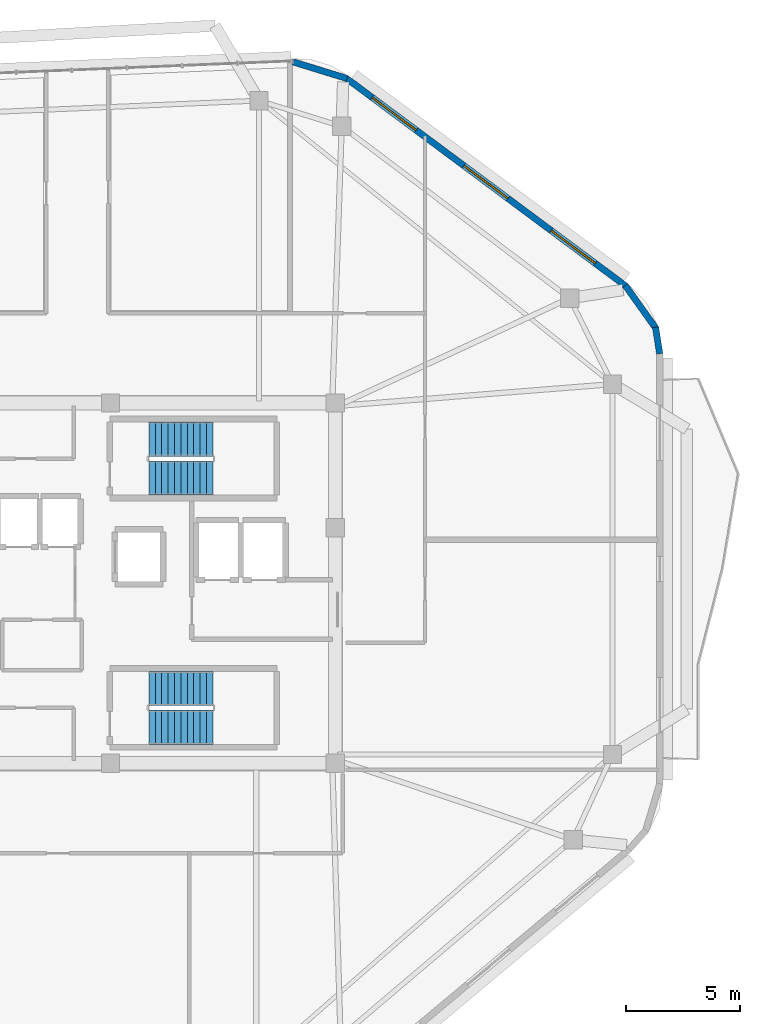
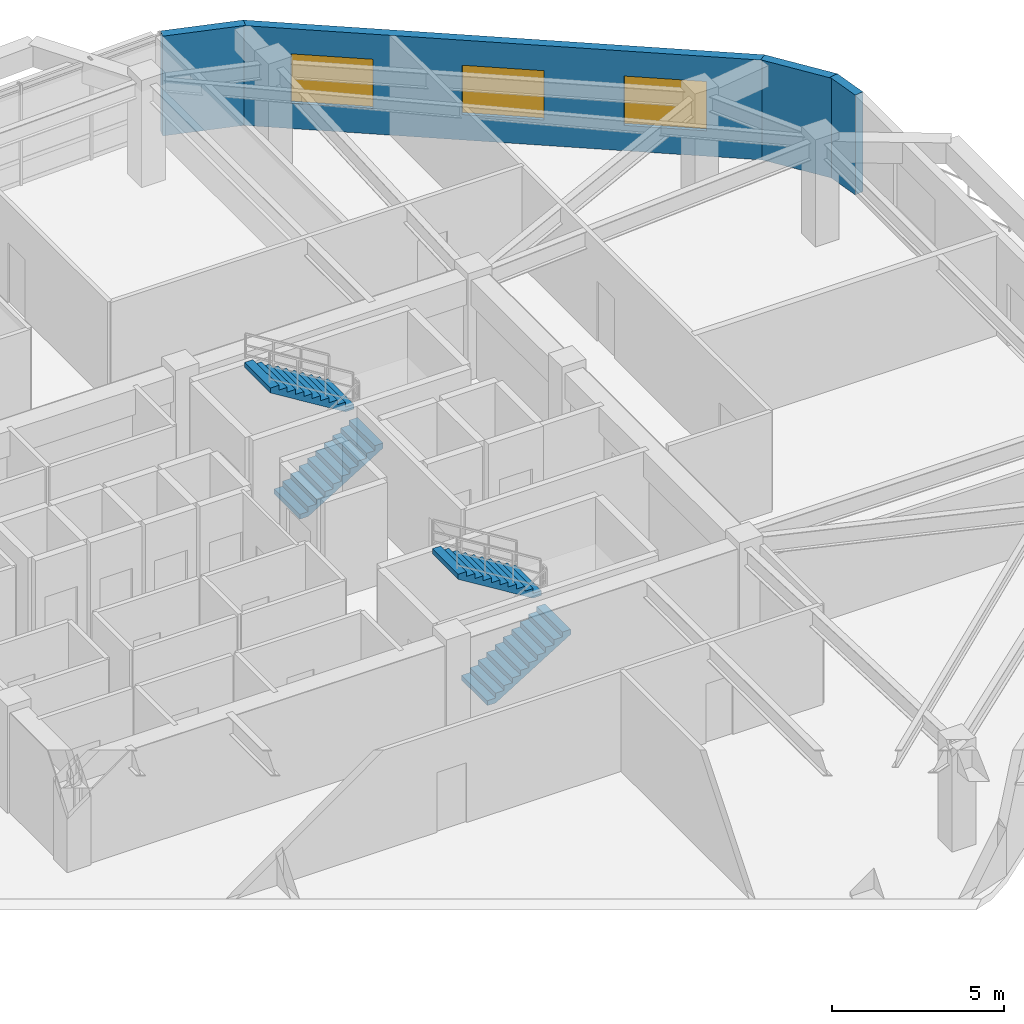
# One storey, part 9 of 12: 4 stair flights, 4 walls, 3 windows, 3 openings, 2 elements without a shape of their own.
"""IFC4 building model written with IfcOpenShell, lengths in metres."""

from ifc_helpers import new_model, si_unit, direction, frame, frame_2d, origin, place, context, subcontext, project, spatial, polyline, rectangle, outline, extrude, material, layer, layer_set, type_object, element, fill, aggregate, save


model = new_model("IFC4")

# Units and contexts
model_context = context("Model", 3, precision=1e-05, world=origin(), true_north=direction((0.0, 1.0)))
body_context = subcontext(model_context, "Body", "Model", "MODEL_VIEW")
ifc_project = project(units=[si_unit("LENGTHUNIT", "METRE"), si_unit("AREAUNIT", "SQUARE_METRE"), si_unit("VOLUMEUNIT", "CUBIC_METRE"), si_unit("PLANEANGLEUNIT", "RADIAN"), si_unit("MASSUNIT", "GRAM", prefix="KILO")], contexts=[model_context])

# Site, building, storey
site_placement = place(None, origin())
site = spatial("IfcSite", under=ifc_project, at=site_placement, CompositionType="ELEMENT")
building_placement = place(site_placement, origin())
building = spatial("IfcBuilding", under=site, at=building_placement, Name="Zulverin Broadcast Headquarters", CompositionType="ELEMENT")
storey_placement = place(building_placement, frame((0.0, 0.0, 293.39990234375)))
storey = spatial("IfcBuildingStorey", under=building, at=storey_placement, Name="L75", CompositionType="ELEMENT", Elevation=293.39990234375)

# Wall, openings, windows
ifc_material_1 = material(Name="Insulated pale-metal clad concrete spandrel C40/50", Category="concrete")
ifc_layer = layer(ifc_material_1, 0.280029296875, Name="Insulated pale-metal clad concrete spandrel C40/50", Category="concrete")
ifc_layer_set = layer_set([ifc_layer], Name="Insulated pale-metal clad concrete spandrel C40/50")
wall_type = type_object("IfcWallType", Name="WL-EXT-280", PredefinedType="STANDARD", material=ifc_layer_set)
wall_1_placement = place(storey_placement, frame((60.98388671875, 38.187255859375, 0.0), z_axis=(0.0, 0.0, 1.0), x_axis=(-0.802485144343, 0.596672098484, 0.0)))
wall_1 = element("IfcWall", 1, at=wall_1_placement, inside=storey, type_object=wall_type, Name="L75 Pale-Metal Clad Spandrel Wall 4", PredefinedType="STANDARD", context=body_context, shape_type="SweptSolid", body=[
    extrude(rectangle(XDim=15.247802734375, YDim=0.280029296875, at=frame_2d((7.6240234375, 0.0))), origin(), (0.0, 0.0, 1.0), 3.5400390625),
])
opening_1_placement = place(wall_1_placement, frame((1.674560546875, 0.0, 0.89990234375)))
opening_1 = element("IfcOpeningElement", 2, at=opening_1_placement, cuts=wall_1, Name="Opening W-L75-E41", PredefinedType="OPENING", context=body_context, shape_type="SweptSolid", body=[
    extrude(rectangle(XDim=2.39990234375, YDim=1.75, at=frame_2d((1.199951171875, 0.875))), frame((0.0, 0.14990234375, 0.0), z_axis=(0.0, -1.0, 0.0), x_axis=(1.0, 0.0, 0.0)), (0.0, 0.0, 1.0), 0.300048828125),
])
opening_2_placement = place(wall_1_placement, frame((6.423828125, 0.0, 0.89990234375)))
opening_2 = element("IfcOpeningElement", 3, at=opening_2_placement, cuts=wall_1, Name="Opening W-L75-E42", PredefinedType="OPENING", context=body_context, shape_type="SweptSolid", body=[
    extrude(rectangle(XDim=2.39990234375, YDim=1.75, at=frame_2d((1.199951171875, 0.875))), frame((0.0, 0.14990234375, 0.0), z_axis=(0.0, -1.0, 0.0), x_axis=(1.0, 0.0, 0.0)), (0.0, 0.0, 1.0), 0.300048828125),
])
opening_3_placement = place(wall_1_placement, frame((11.423095703125, 0.0, 0.89990234375)))
opening_3 = element("IfcOpeningElement", 4, at=opening_3_placement, cuts=wall_1, Name="Opening W-L75-E43", PredefinedType="OPENING", context=body_context, shape_type="SweptSolid", body=[
    extrude(rectangle(XDim=2.39990234375, YDim=1.75, at=frame_2d((1.199951171875, 0.875))), frame((0.0, 0.14990234375, 0.0), z_axis=(0.0, -1.0, 0.0), x_axis=(1.0, 0.0, 0.0)), (0.0, 0.0, 1.0), 0.300048828125),
])
ifc_material_2 = material(Name="Pale anodized aluminium frame with solar-control low-E double glazing", Category="aluminium")
window_type = type_object("IfcWindowType", Name="WIN-RIB-2400", PartitioningType="SINGLE_PANEL", PredefinedType="WINDOW", material=ifc_material_2)
window_1_placement = place(opening_1_placement, origin())
window_1 = element("IfcWindow", 5, at=window_1_placement, inside=storey, type_object=window_type, Name="L75 Ribbon Glazing Window 4 1", OverallHeight=1.75, OverallWidth=2.39990234375, PartitioningType="SINGLE_PANEL", PredefinedType="WINDOW", context=body_context, shape_type="SweptSolid", body=[
    extrude(rectangle(XDim=2.39990234375, YDim=1.75, at=frame_2d((1.199951171875, 0.875))), frame((0.0, 0.030029296875, 0.0), z_axis=(0.0, -1.0, 0.0), x_axis=(1.0, 0.0, 0.0)), (0.0, 0.0, 1.0), 0.06005859375),
])
fill(opening_1, window_1)
window_2_placement = place(opening_2_placement, origin())
window_2 = element("IfcWindow", 6, at=window_2_placement, inside=storey, type_object=window_type, Name="L75 Ribbon Glazing Window 4 2", OverallHeight=1.75, OverallWidth=2.39990234375, PartitioningType="SINGLE_PANEL", PredefinedType="WINDOW", context=body_context, shape_type="SweptSolid", body=[
    extrude(rectangle(XDim=2.39990234375, YDim=1.75, at=frame_2d((1.199951171875, 0.875))), frame((0.0, 0.030029296875, 0.0), z_axis=(0.0, -1.0, 0.0), x_axis=(1.0, 0.0, 0.0)), (0.0, 0.0, 1.0), 0.06005859375),
])
fill(opening_2, window_2)
window_3_placement = place(opening_3_placement, origin())
window_3 = element("IfcWindow", 7, at=window_3_placement, inside=storey, type_object=window_type, Name="L75 Ribbon Glazing Window 4 3", OverallHeight=1.75, OverallWidth=2.39990234375, PartitioningType="SINGLE_PANEL", PredefinedType="WINDOW", context=body_context, shape_type="SweptSolid", body=[
    extrude(rectangle(XDim=2.39990234375, YDim=1.75, at=frame_2d((1.199951171875, 0.875))), frame((0.0, 0.030029296875, 0.0), z_axis=(0.0, -1.0, 0.0), x_axis=(1.0, 0.0, 0.0)), (0.0, 0.0, 1.0), 0.06005859375),
])
fill(opening_3, window_3)

# Walls
wall_2_placement = place(storey_placement, frame((62.461669921875, 35.228515625, 0.0), z_axis=(0.0, 0.0, 1.0), x_axis=(-0.15458604025, 0.987979329824, 0.0)))
element("IfcWall", 8, at=wall_2_placement, inside=storey, type_object=wall_type, Name="L75 Wind-Shaped Corner Spandrel Wall 3-1", PredefinedType="STANDARD", context=body_context, shape_type="SweptSolid", body=[
    extrude(rectangle(XDim=1.175048828125, YDim=0.280029296875, at=frame_2d((0.58740234375, 0.0))), origin(), (0.0, 0.0, 1.0), 3.5400390625),
])
wall_3_placement = place(storey_placement, frame((62.304443359375, 36.32958984375, 0.0), z_axis=(0.0, 0.0, 1.0), x_axis=(-0.581795068472, 0.81333541562, 0.0)))
element("IfcWall", 9, at=wall_3_placement, inside=storey, type_object=wall_type, Name="L75 Wind-Shaped Corner Spandrel Wall 3-2", PredefinedType="STANDARD", context=body_context, shape_type="SweptSolid", body=[
    extrude(rectangle(XDim=2.32177734375, YDim=0.280029296875, at=frame_2d((1.160888671875, 0.0))), origin(), (0.0, 0.0, 1.0), 3.5400390625),
])
wall_4_placement = place(storey_placement, frame((48.7900390625, 47.263671875, 0.0), z_axis=(0.0, 0.0, 1.0), x_axis=(-0.955575823363, 0.294745391489, 0.0)))
element("IfcWall", 10, at=wall_4_placement, inside=storey, type_object=wall_type, Name="L75 Wind-Shaped Corner Spandrel Wall 4-1", PredefinedType="STANDARD", context=body_context, shape_type="SweptSolid", body=[
    extrude(rectangle(XDim=2.470947265625, YDim=0.280029296875, at=frame_2d((1.2353515625, 0.0))), origin(), (0.0, 0.0, 1.0), 3.5400390625),
])

# Stair, stair flights
ifc_material_3 = material(Name="Concrete C40/50", Category="concrete")
stair_type = type_object("IfcStairType", Name="ST-CORE-1500", PredefinedType="HALF_TURN_STAIR", material=ifc_material_3)
stair_1_placement = place(storey_placement, origin())
stair_1 = element("IfcStair", 11, at=stair_1_placement, inside=storey, type_object=stair_type, Name="L75 Core Exit Stair ST-1", PredefinedType="HALF_TURN_STAIR")
stair_flight_type = type_object("IfcStairFlightType", Name="SF-CORE-1500", PredefinedType="STRAIGHT", material=ifc_material_3)
stair_flight_1_placement = place(storey_placement, frame((40.1298828125, 29.800048828125, 0.0), z_axis=(0.0, 0.0, 1.0), x_axis=(1.0, 0.0, 0.0)))
stair_flight_1 = element("IfcStairFlight", 12, at=stair_flight_1_placement, type_object=stair_flight_type, Name="ST-1 flight 1", NumberOfRisers=11, NumberOfTreads=10, PredefinedType="STRAIGHT", RiserHeight=0.172727273, TreadLength=0.28, context=body_context, shape_type="SweptSolid", body=[
    extrude(outline(polyline([(0.0, 0.0), (0.0, 0.172607421875), (0.280029296875, 0.172607421875), (0.280029296875, 0.345458984375), (0.56005859375, 0.345458984375), (0.56005859375, 0.51806640625), (0.840087890625, 0.51806640625), (0.840087890625, 0.69091796875), (1.1201171875, 0.69091796875), (1.1201171875, 0.863525390625), (1.39990234375, 0.863525390625), (1.39990234375, 1.036376953125), (1.679931640625, 1.036376953125), (1.679931640625, 1.208984375), (1.9599609375, 1.208984375), (1.9599609375, 1.3818359375), (2.239990234375, 1.3818359375), (2.239990234375, 1.554443359375), (2.52001953125, 1.554443359375), (2.52001953125, 1.727294921875), (2.800048828125, 1.727294921875), (2.800048828125, 1.89990234375), (2.800048828125, 1.551025390625), (0.285400390625, 0.0), (0.0, 0.0)])), frame((0.0, 0.75, 0.0), z_axis=(0.0, -1.0, 0.0), x_axis=(1.0, 0.0, 0.0)), (0.0, 0.0, 1.0), 1.5),
])
stair_flight_2_placement = place(storey_placement, frame((42.929931640625, 31.5, 1.900146484375), z_axis=(0.0, 0.0, 1.0), x_axis=(-1.0, 0.0, 0.0)))
stair_flight_2 = element("IfcStairFlight", 13, at=stair_flight_2_placement, type_object=stair_flight_type, Name="ST-1 flight 2", NumberOfRisers=11, NumberOfTreads=10, PredefinedType="STRAIGHT", RiserHeight=0.172727273, TreadLength=0.28, context=body_context, shape_type="SweptSolid", body=[
    extrude(outline(polyline([(0.0, 0.0), (0.0, 0.172607421875), (0.280029296875, 0.172607421875), (0.280029296875, 0.345458984375), (0.56005859375, 0.345458984375), (0.56005859375, 0.51806640625), (0.840087890625, 0.51806640625), (0.840087890625, 0.69091796875), (1.1201171875, 0.69091796875), (1.1201171875, 0.863525390625), (1.39990234375, 0.863525390625), (1.39990234375, 1.036376953125), (1.679931640625, 1.036376953125), (1.679931640625, 1.208984375), (1.9599609375, 1.208984375), (1.9599609375, 1.3818359375), (2.239990234375, 1.3818359375), (2.239990234375, 1.554443359375), (2.52001953125, 1.554443359375), (2.52001953125, 1.727294921875), (2.800048828125, 1.727294921875), (2.800048828125, 1.89990234375), (2.800048828125, 1.551025390625), (0.285400390625, 0.0), (0.0, 0.0)])), frame((0.0, 0.75, 0.0), z_axis=(0.0, -1.0, 0.0), x_axis=(1.0, 0.0, 0.0)), (0.0, 0.0, 1.0), 1.5),
])
aggregate(stair_1, [stair_flight_1, stair_flight_2])

stair_2_placement = place(storey_placement, origin())
stair_2 = element("IfcStair", 14, at=stair_2_placement, inside=storey, type_object=stair_type, Name="L75 Core Exit Stair ST-2", PredefinedType="HALF_TURN_STAIR")
stair_flight_3_placement = place(storey_placement, frame((40.1298828125, 18.89990234375, 0.0), z_axis=(0.0, 0.0, 1.0), x_axis=(1.0, 0.0, 0.0)))
stair_flight_3 = element("IfcStairFlight", 15, at=stair_flight_3_placement, type_object=stair_flight_type, Name="ST-2 flight 1", NumberOfRisers=11, NumberOfTreads=10, PredefinedType="STRAIGHT", RiserHeight=0.172727273, TreadLength=0.28, context=body_context, shape_type="SweptSolid", body=[
    extrude(outline(polyline([(0.0, 0.0), (0.0, 0.172607421875), (0.280029296875, 0.172607421875), (0.280029296875, 0.345458984375), (0.56005859375, 0.345458984375), (0.56005859375, 0.51806640625), (0.840087890625, 0.51806640625), (0.840087890625, 0.69091796875), (1.1201171875, 0.69091796875), (1.1201171875, 0.863525390625), (1.39990234375, 0.863525390625), (1.39990234375, 1.036376953125), (1.679931640625, 1.036376953125), (1.679931640625, 1.208984375), (1.9599609375, 1.208984375), (1.9599609375, 1.3818359375), (2.239990234375, 1.3818359375), (2.239990234375, 1.554443359375), (2.52001953125, 1.554443359375), (2.52001953125, 1.727294921875), (2.800048828125, 1.727294921875), (2.800048828125, 1.89990234375), (2.800048828125, 1.551025390625), (0.285400390625, 0.0), (0.0, 0.0)])), frame((0.0, 0.75, 0.0), z_axis=(0.0, -1.0, 0.0), x_axis=(1.0, 0.0, 0.0)), (0.0, 0.0, 1.0), 1.5),
])
stair_flight_4_placement = place(storey_placement, frame((42.929931640625, 20.60009765625, 1.900146484375), z_axis=(0.0, 0.0, 1.0), x_axis=(-1.0, 0.0, 0.0)))
stair_flight_4 = element("IfcStairFlight", 16, at=stair_flight_4_placement, type_object=stair_flight_type, Name="ST-2 flight 2", NumberOfRisers=11, NumberOfTreads=10, PredefinedType="STRAIGHT", RiserHeight=0.172727273, TreadLength=0.28, context=body_context, shape_type="SweptSolid", body=[
    extrude(outline(polyline([(0.0, 0.0), (0.0, 0.172607421875), (0.280029296875, 0.172607421875), (0.280029296875, 0.345458984375), (0.56005859375, 0.345458984375), (0.56005859375, 0.51806640625), (0.840087890625, 0.51806640625), (0.840087890625, 0.69091796875), (1.1201171875, 0.69091796875), (1.1201171875, 0.863525390625), (1.39990234375, 0.863525390625), (1.39990234375, 1.036376953125), (1.679931640625, 1.036376953125), (1.679931640625, 1.208984375), (1.9599609375, 1.208984375), (1.9599609375, 1.3818359375), (2.239990234375, 1.3818359375), (2.239990234375, 1.554443359375), (2.52001953125, 1.554443359375), (2.52001953125, 1.727294921875), (2.800048828125, 1.727294921875), (2.800048828125, 1.89990234375), (2.800048828125, 1.551025390625), (0.285400390625, 0.0), (0.0, 0.0)])), frame((0.0, 0.75, 0.0), z_axis=(0.0, -1.0, 0.0), x_axis=(1.0, 0.0, 0.0)), (0.0, 0.0, 1.0), 1.5),
])
aggregate(stair_2, [stair_flight_3, stair_flight_4])

save(model, "model.ifc")
